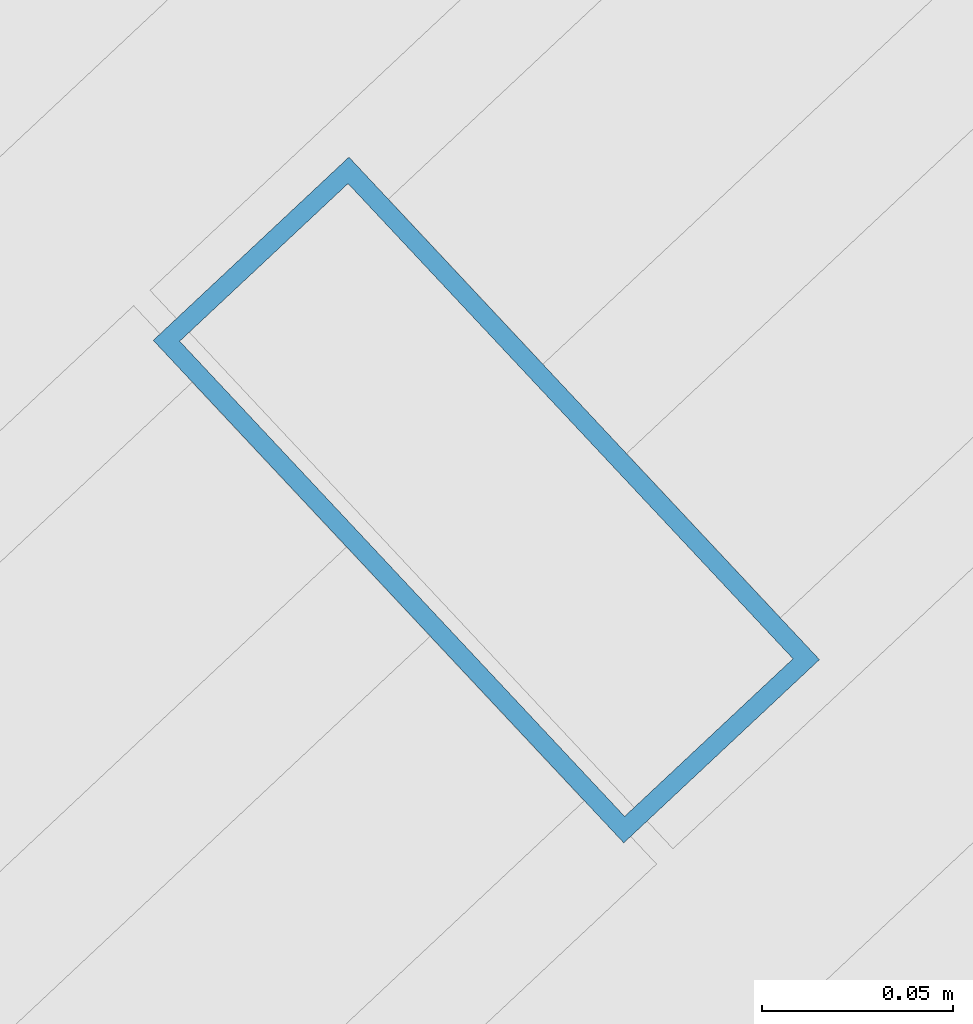
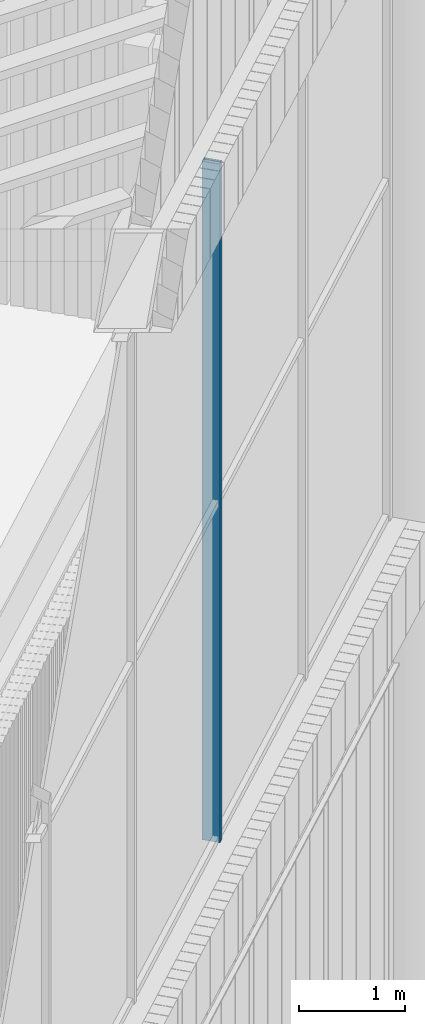
# One storey, part 34 of 117: 1 member, 1 element without a shape of its own.
"""IFC4 building model written with IfcOpenShell, lengths in metres."""

from ifc_helpers import new_model, si_unit, direction, frame, origin, origin_2d, place, context, subcontext, project, spatial, hollow_rectangle, extrude, material, layer, layer_set, material_profile, profile_set, type_object, element, aggregate, save


model = new_model("IFC4")

# Units and contexts
model_context = context("Model", 3, precision=1e-05, world=origin(), true_north=direction((0.0, 1.0)))
body_context = subcontext(model_context, "Body", "Model", "MODEL_VIEW")
ifc_project = project(units=[si_unit("LENGTHUNIT", "METRE"), si_unit("AREAUNIT", "SQUARE_METRE"), si_unit("VOLUMEUNIT", "CUBIC_METRE"), si_unit("PLANEANGLEUNIT", "RADIAN"), si_unit("MASSUNIT", "GRAM", prefix="KILO")], contexts=[model_context])

# Site, building, storey
site_placement = place(None, origin())
site = spatial("IfcSite", under=ifc_project, at=site_placement, CompositionType="ELEMENT")
building_placement = place(site_placement, origin())
building = spatial("IfcBuilding", under=site, at=building_placement, Name="Tarsis Ring Headquarters", CompositionType="ELEMENT")
storey_placement = place(building_placement, frame((0.0, 0.0, 403.60009765625)))
storey = spatial("IfcBuildingStorey", under=building, at=storey_placement, Name="L95", CompositionType="ELEMENT", Elevation=403.60009765625)

# Curtain wall, member
ifc_material_1 = material(Name="Aluminium curtain wall", Category="aluminium")
ifc_layer = layer(ifc_material_1, 0.179931640625)
ifc_layer_set = layer_set([ifc_layer], Name="Curtain wall crown glazing")
curtain_wall_type = type_object("IfcCurtainWallType", Name="Curtain wall crown glazing", PredefinedType="NOTDEFINED", material=ifc_layer_set)
curtain_wall_placement = place(storey_placement, origin())
curtain_wall = element("IfcCurtainWall", 1, at=curtain_wall_placement, inside=storey, type_object=curtain_wall_type, Name="Crown glazing L3", PredefinedType="NOTDEFINED")
ifc_material_2 = material(Name="Aluminium mullion", Category="aluminium")
ifc_material_profile = material_profile(ifc_material_2, hollow_rectangle(XDim=0.179931640625, YDim=0.070068359375, WallThickness=0.0048828125, at=origin_2d()), Name="RHS 180x70x5")
ifc_profile_set = profile_set([ifc_material_profile], Name="Aluminium mullion")
member_type = type_object("IfcMemberType", Name="Crown glazing mullion RHS 180x70x5", PredefinedType="MULLION", material=ifc_profile_set)
member_placement = place(storey_placement, frame((19.39892578125, -29.51025390625, 5.7998046875), z_axis=(0.0, 0.0, 1.0), x_axis=(-0.683528553678, 0.729923774312, 0.0)))
member = element("IfcMember", 2, at=member_placement, type_object=member_type, Name="CW-C mullion 4", PredefinedType="MULLION", context=body_context, shape_type="SweptSolid", body=[
    extrude(hollow_rectangle(XDim=0.179931640625, YDim=0.070068359375, WallThickness=0.0048828125, at=origin_2d()), origin(), (0.0, 0.0, 1.0), 7.800048828125),
])
aggregate(curtain_wall, [member])

save(model, "model.ifc")
